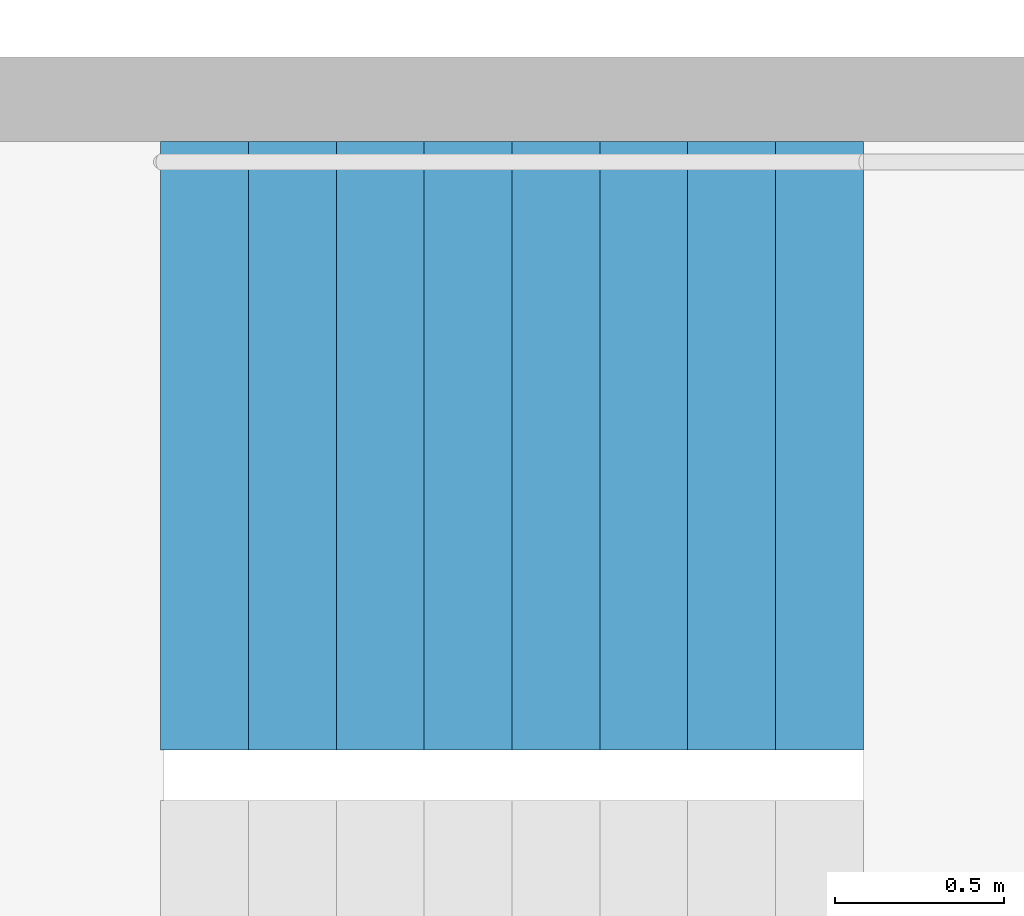
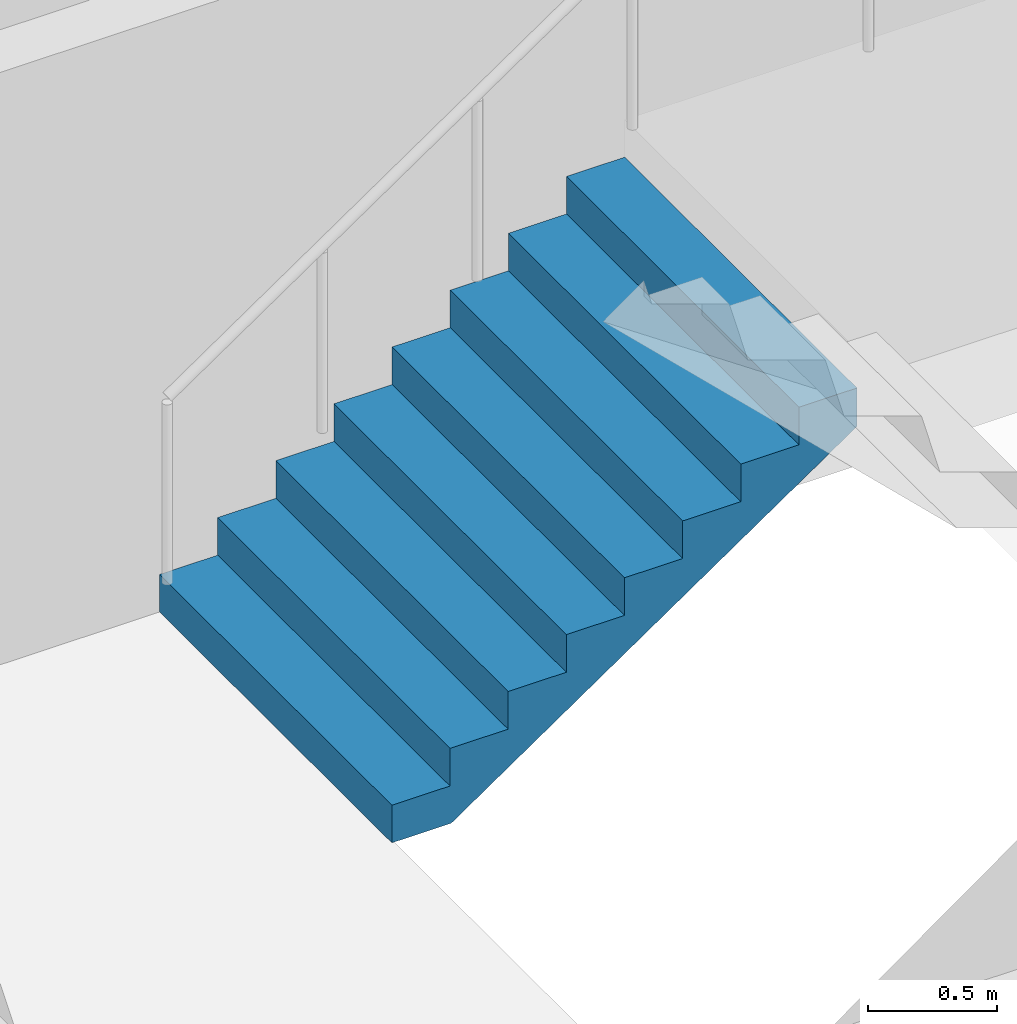
# One storey, part 26 of 29: 1 stair flight, 1 element without a shape of its own.
"""IFC4 building model written with IfcOpenShell, lengths in metres."""

import ifcopenshell
import ifcopenshell.guid

model = None  # the IFC model being written
_history = None  # IfcOwnerHistory: only IFC2X3 demands one
_inside = {}  # id of a spatial element -> (the spatial element, [elements in it])
_under = {}  # id of a project, library or spatial element -> (it, [spatial elements below it])
_declared = {}  # id of a project -> (the project, [libraries it declares])
_typed = {}  # id of a type object -> (the type object, [elements of that type])
_made_of = {}  # id of a material, layer set ... -> (it, [elements and type objects made of it])


def new_model(schema):
    """Start an empty IFC model of exactly this schema.

    Asked for "IFC4X3", IfcOpenShell would pick the latest addendum, in which some entities
    have other attributes; the version numbers below select the first issue.
    IFC2X3 requires an IfcOwnerHistory on every rooted entity: one is made here for all.
    """
    global model, _history
    if schema == "IFC4X3":
        model = ifcopenshell.file(schema_version=(4, 3, 0, 0))
    else:
        model = ifcopenshell.file(schema=schema)
    _inside.clear()
    _under.clear()
    _declared.clear()
    _typed.clear()
    _made_of.clear()
    _history = None
    if model.schema == "IFC2X3":
        org = make("IfcOrganization", Name="unknown")
        user = make(
            "IfcPersonAndOrganization",
            ThePerson=make("IfcPerson", FamilyName="unknown"),
            TheOrganization=org,
        )
        app = make(
            "IfcApplication",
            ApplicationDeveloper=org,
            Version="unknown",
            ApplicationFullName="unknown",
            ApplicationIdentifier="unknown",
        )
        _history = make(
            "IfcOwnerHistory",
            OwningUser=user,
            OwningApplication=app,
            ChangeAction="ADDED",
            CreationDate=0,
        )
    return model


def make(cls, **values):
    """One entity of the class cls with the attributes given. An attribute that is None is left unset."""
    return model.create_entity(
        cls, **{name: value for name, value in values.items() if value is not None}
    )


def rooted(cls, **values):
    """An entity with a GlobalId (a new one), such as an element, a storey or a relation."""
    return make(cls, GlobalId=ifcopenshell.guid.new(), OwnerHistory=_history, **values)


def si_unit(unit_type, name, prefix=None):
    """IfcSIUnit, for example si_unit("LENGTHUNIT", "METRE", prefix="MILLI")."""
    return make("IfcSIUnit", UnitType=unit_type, Prefix=prefix, Name=name)


def assignment(units):
    """IfcUnitAssignment: the units of a project."""
    return None if units is None else make("IfcUnitAssignment", Units=units)


def point(xyz):
    """IfcCartesianPoint."""
    return None if xyz is None else make("IfcCartesianPoint", Coordinates=xyz)


def direction(xyz):
    """IfcDirection."""
    return None if xyz is None else make("IfcDirection", DirectionRatios=xyz)


def frame(location, z_axis=None, x_axis=None):
    """IfcAxis2Placement3D, a coordinate frame: its origin and axes. An axis left out is left unset."""
    return make(
        "IfcAxis2Placement3D",
        Location=point(location),
        Axis=direction(z_axis),
        RefDirection=direction(x_axis),
    )


def origin():
    """The frame at (0, 0, 0) with its axes left unset."""
    return frame((0.0, 0.0, 0.0))


def place(relative_to, where):
    """IfcLocalPlacement: puts the frame where relative to a parent placement (None: the world)."""
    return make(
        "IfcLocalPlacement", PlacementRelTo=relative_to, RelativePlacement=where
    )


def context(
    kind, dimensions, precision=None, world=None, true_north=None, identifier=None
):
    """IfcGeometricRepresentationContext, for example the 3D "Model" context."""
    return make(
        "IfcGeometricRepresentationContext",
        ContextIdentifier=identifier,
        ContextType=kind,
        CoordinateSpaceDimension=dimensions,
        Precision=precision,
        WorldCoordinateSystem=world,
        TrueNorth=true_north,
    )


def subcontext(parent, identifier, kind, view, scale=None):
    """IfcGeometricRepresentationSubContext, for example "Body" below "Model"."""
    return make(
        "IfcGeometricRepresentationSubContext",
        ContextIdentifier=identifier,
        ContextType=kind,
        ParentContext=parent,
        TargetScale=scale,
        TargetView=view,
    )


def project(units=None, contexts=None):
    """IfcProject with its units and contexts."""
    return rooted(
        "IfcProject",
        Name="project",
        RepresentationContexts=contexts,
        UnitsInContext=assignment(units),
    )


def spatial(cls, under=None, at=None, **own):
    """A site, building, storey or space (cls), placed at a placement, below another one or the project."""
    s = rooted(cls, ObjectPlacement=at, **own)
    if under is not None:
        _under.setdefault(under.id(), (under, []))[1].append(s)
    return s


def point_list(points):
    """IfcCartesianPointList2D or 3D."""
    cls = (
        "IfcCartesianPointList2D" if len(points[0]) == 2 else "IfcCartesianPointList3D"
    )
    return make(cls, CoordList=points)


def triangles(points, corners, closed=None, point_numbers=None):
    """IfcTriangulatedFaceSet: each triangle names its three corners, points numbered from 1."""
    return make(
        "IfcTriangulatedFaceSet",
        Coordinates=point_list(points),
        Closed=closed,
        CoordIndex=corners,
        PnIndex=point_numbers,
    )


def shape(context_of_items, identifier, shape_type, items):
    """IfcShapeRepresentation: the items that make up one representation, for example the "Body"."""
    return make(
        "IfcShapeRepresentation",
        ContextOfItems=context_of_items,
        RepresentationIdentifier=identifier,
        RepresentationType=shape_type,
        Items=items,
    )


def material(Name=None, Category=None):
    """IfcMaterial."""
    return make("IfcMaterial", Name=Name, Category=Category)


def made_of(thing, what):
    """Note that an element or type object is made of a material, layer set ...; save() writes the relation."""
    if what is not None:
        _made_of.setdefault(what.id(), (what, []))[1].append(thing)
    return thing


def type_object(cls, material=None, **own):
    """A type object (cls), such as IfcWallType, which elements share."""
    return made_of(rooted(cls, **own), material)


def element(
    cls,
    number,
    at=None,
    inside=None,
    cuts=None,
    type_object=None,
    material=None,
    context=None,
    identifier="Body",
    shape_type=None,
    held_by="IfcProductDefinitionShape",
    body=None,
    shapes=None,
    **own,
):
    """One element of the class cls, such as IfcWall. Its Tag is "e" and its number.

    at: its placement. inside: the storey or other place that contains it. cuts: it is an
    opening in that element (IfcRelVoidsElement). A single representation is given by context,
    identifier, shape_type and body (its items); several are given by shapes. held_by: the class
    of the entity that holds the representations. save() writes the other relations.
    """
    e = rooted(cls, Tag="e%d" % number, ObjectPlacement=at, **own)
    if body is not None:
        shapes = [shape(context, identifier, shape_type, body)]
    if shapes is not None:
        e.Representation = make(held_by, Representations=shapes)
    if inside is not None:
        _inside.setdefault(inside.id(), (inside, []))[1].append(e)
    if cuts is not None:
        rooted(
            "IfcRelVoidsElement", RelatingBuildingElement=cuts, RelatedOpeningElement=e
        )
    if type_object is not None:
        _typed.setdefault(type_object.id(), (type_object, []))[1].append(e)
    return made_of(e, material)


def aggregate(whole, parts):
    """IfcRelAggregates: a whole, such as a stair, and the parts it consists of."""
    return rooted("IfcRelAggregates", RelatingObject=whole, RelatedObjects=parts)


def save(model, path):
    """Write the relations noted so far, then the file.

    IfcRelAggregates (storeys below a building ...), IfcRelContainedInSpatialStructure (elements
    in a storey), IfcRelDefinesByType, IfcRelAssociatesMaterial and IfcRelDeclares: one each for
    every whole, place, type object, material and project.
    """
    for whole, parts in _under.values():
        aggregate(whole, parts)
    for where, things in _inside.values():
        rooted(
            "IfcRelContainedInSpatialStructure",
            RelatedElements=things,
            RelatingStructure=where,
        )
    for kind, things in _typed.values():
        rooted("IfcRelDefinesByType", RelatedObjects=things, RelatingType=kind)
    for what, things in _made_of.values():
        rooted("IfcRelAssociatesMaterial", RelatedObjects=things, RelatingMaterial=what)
    for by, libraries in _declared.values():
        rooted("IfcRelDeclares", RelatingContext=by, RelatedDefinitions=libraries)
    model.write(path)


model = new_model("IFC4")

# Units and contexts
model_context = context("Model", 3, precision=1e-05, world=origin(), true_north=direction((0.0, 1.0)))
body_context = subcontext(model_context, "Body", "Model", "MODEL_VIEW")
ifc_project = project(units=[si_unit("LENGTHUNIT", "METRE"), si_unit("AREAUNIT", "SQUARE_METRE"), si_unit("VOLUMEUNIT", "CUBIC_METRE"), si_unit("PLANEANGLEUNIT", "RADIAN"), si_unit("MASSUNIT", "GRAM", prefix="KILO")], contexts=[model_context])

# Site, building, storey
site_placement = place(None, origin())
site = spatial("IfcSite", under=ifc_project, at=site_placement, CompositionType="ELEMENT")
building_placement = place(site_placement, origin())
building = spatial("IfcBuilding", under=site, at=building_placement, Name="Hakoniwa Tower and Hamabe Station Hall", CompositionType="ELEMENT")
storey_placement = place(building_placement, frame((0.0, 0.0, 88.199951171875)))
storey = spatial("IfcBuildingStorey", under=building, at=storey_placement, Name="L24", CompositionType="ELEMENT", Elevation=88.199951171875)

# Stair, stair flight
ifc_material_1 = material(Name="Concrete C40", Category="concrete")
stair_type = type_object("IfcStairType", Name="ESCAPE STAIR 1800", PredefinedType="HALF_TURN_STAIR", material=ifc_material_1)
stair_placement = place(storey_placement, origin())
stair = element("IfcStair", 1, at=stair_placement, inside=storey, type_object=stair_type, Name="Escape stair ST-4 L24", PredefinedType="HALF_TURN_STAIR")
ifc_material_2 = material(Name="Concrete C40", Category="concrete")
stair_flight_type = type_object("IfcStairFlightType", Name="STAIR FLIGHT 1800", PredefinedType="STRAIGHT", material=ifc_material_2)
stair_flight_placement = place(storey_placement, frame((23.39990234375, -4.64990234375, 0.0), z_axis=(0.0, 0.0, 1.0), x_axis=(1.0, 0.0, 0.0)))
stair_flight = element("IfcStairFlight", 2, at=stair_flight_placement, type_object=stair_flight_type, Name="ST-4 flight 1", NumberOfRisers=9, NumberOfTreads=8, PredefinedType="STRAIGHT", RiserHeight=0.177777778, TreadLength=0.26, context=body_context, shape_type="Tessellation", body=[
    triangles([(0.0, 0.89990234375, 0.0), (0.260009765625, 0.89990234375, 0.0), (0.265625, 0.89990234375, 0.0), (0.52001953125, 0.89990234375, 0.174072265625), (0.780029296875, 0.89990234375, 0.351806640625), (1.0400390625, 0.89990234375, 0.529541015625), (1.300048828125, 0.89990234375, 0.707275390625), (1.56005859375, 0.89990234375, 0.885009765625), (1.820068359375, 0.89990234375, 1.062744140625), (2.080078125, 0.89990234375, 1.24072265625), (2.080078125, 0.89990234375, 1.422119140625), (1.820068359375, 0.89990234375, 1.422119140625), (1.820068359375, 0.89990234375, 1.244384765625), (1.56005859375, 0.89990234375, 1.244384765625), (1.56005859375, 0.89990234375, 1.066650390625), (1.300048828125, 0.89990234375, 1.066650390625), (1.300048828125, 0.89990234375, 0.888916015625), (1.0400390625, 0.89990234375, 0.888916015625), (1.0400390625, 0.89990234375, 0.711181640625), (0.780029296875, 0.89990234375, 0.711181640625), (0.780029296875, 0.89990234375, 0.533447265625), (0.52001953125, 0.89990234375, 0.533447265625), (0.52001953125, 0.89990234375, 0.35546875), (0.265625, 0.89990234375, 0.35546875), (0.260009765625, 0.89990234375, 0.35546875), (0.260009765625, 0.89990234375, 0.177734375), (0.0, 0.89990234375, 0.177734375), (0.0, 0.06005859375, 0.0), (0.260009765625, 0.06005859375, 0.0), (0.265625, 0.06005859375, 0.0), (0.52001953125, 0.06005859375, 0.174072265625), (0.780029296875, 0.06005859375, 0.351806640625), (1.0400390625, 0.06005859375, 0.529541015625), (1.300048828125, 0.06005859375, 0.707275390625), (1.56005859375, 0.06005859375, 0.885009765625), (1.820068359375, 0.06005859375, 1.062744140625), (2.080078125, 0.06005859375, 1.24072265625), (2.080078125, 0.06005859375, 1.422119140625), (1.820068359375, 0.06005859375, 1.422119140625), (1.820068359375, 0.06005859375, 1.244384765625), (1.56005859375, 0.06005859375, 1.244384765625), (1.56005859375, 0.06005859375, 1.066650390625), (1.300048828125, 0.06005859375, 1.066650390625), (1.300048828125, 0.06005859375, 0.888916015625), (1.0400390625, 0.06005859375, 0.888916015625), (1.0400390625, 0.06005859375, 0.711181640625), (0.780029296875, 0.06005859375, 0.711181640625), (0.780029296875, 0.06005859375, 0.533447265625), (0.52001953125, 0.06005859375, 0.533447265625), (0.52001953125, 0.06005859375, 0.35546875), (0.265625, 0.06005859375, 0.35546875), (0.260009765625, 0.06005859375, 0.35546875), (0.260009765625, 0.06005859375, 0.177734375), (0.0, 0.06005859375, 0.177734375), (0.0, 0.04296875, 0.0), (0.260009765625, 0.04296875, 0.0), (0.265625, 0.04296875, 0.0), (0.52001953125, 0.04296875, 0.174072265625), (0.780029296875, 0.04296875, 0.351806640625), (1.0400390625, 0.04296875, 0.529541015625), (1.300048828125, 0.04296875, 0.707275390625), (1.56005859375, 0.04296875, 0.885009765625), (1.820068359375, 0.04296875, 1.062744140625), (2.080078125, 0.04296875, 1.24072265625), (2.080078125, 0.04296875, 1.422119140625), (1.820068359375, 0.04296875, 1.422119140625), (1.820068359375, 0.04296875, 1.244384765625), (1.56005859375, 0.04296875, 1.244384765625), (1.56005859375, 0.04296875, 1.066650390625), (1.300048828125, 0.04296875, 1.066650390625), (1.300048828125, 0.04296875, 0.888916015625), (1.0400390625, 0.04296875, 0.888916015625), (1.0400390625, 0.04296875, 0.711181640625), (0.780029296875, 0.04296875, 0.711181640625), (0.780029296875, 0.04296875, 0.533447265625), (0.52001953125, 0.04296875, 0.533447265625), (0.52001953125, 0.04296875, 0.35546875), (0.265625, 0.04296875, 0.35546875), (0.260009765625, 0.04296875, 0.35546875), (0.260009765625, 0.04296875, 0.177734375), (0.0, 0.04296875, 0.177734375), (0.0, 0.025634765625, 0.0), (0.260009765625, 0.025634765625, 0.0), (0.265625, 0.025634765625, 0.0), (0.52001953125, 0.025634765625, 0.174072265625), (0.780029296875, 0.025634765625, 0.351806640625), (1.0400390625, 0.025634765625, 0.529541015625), (1.300048828125, 0.025634765625, 0.707275390625), (1.56005859375, 0.025634765625, 0.885009765625), (1.820068359375, 0.025634765625, 1.062744140625), (2.080078125, 0.025634765625, 1.24072265625), (2.080078125, 0.025634765625, 1.422119140625), (1.820068359375, 0.025634765625, 1.422119140625), (1.820068359375, 0.025634765625, 1.244384765625), (1.56005859375, 0.025634765625, 1.244384765625), (1.56005859375, 0.025634765625, 1.066650390625), (1.300048828125, 0.025634765625, 1.066650390625), (1.300048828125, 0.025634765625, 0.888916015625), (1.0400390625, 0.025634765625, 0.888916015625), (1.0400390625, 0.025634765625, 0.711181640625), (0.780029296875, 0.025634765625, 0.711181640625), (0.780029296875, 0.025634765625, 0.533447265625), (0.52001953125, 0.025634765625, 0.533447265625), (0.52001953125, 0.025634765625, 0.35546875), (0.265625, 0.025634765625, 0.35546875), (0.260009765625, 0.025634765625, 0.35546875), (0.260009765625, 0.025634765625, 0.177734375), (0.0, 0.025634765625, 0.177734375), (0.0, 0.008544921875, 0.0), (0.260009765625, 0.008544921875, 0.0), (0.265625, 0.008544921875, 0.0), (0.52001953125, 0.008544921875, 0.174072265625), (0.780029296875, 0.008544921875, 0.351806640625), (1.0400390625, 0.008544921875, 0.529541015625), (1.300048828125, 0.008544921875, 0.707275390625), (1.56005859375, 0.008544921875, 0.885009765625), (1.820068359375, 0.008544921875, 1.062744140625), (2.080078125, 0.008544921875, 1.24072265625), (2.080078125, 0.008544921875, 1.422119140625), (1.820068359375, 0.008544921875, 1.422119140625), (1.820068359375, 0.008544921875, 1.244384765625), (1.56005859375, 0.008544921875, 1.244384765625), (1.56005859375, 0.008544921875, 1.066650390625), (1.300048828125, 0.008544921875, 1.066650390625), (1.300048828125, 0.008544921875, 0.888916015625), (1.0400390625, 0.008544921875, 0.888916015625), (1.0400390625, 0.008544921875, 0.711181640625), (0.780029296875, 0.008544921875, 0.711181640625), (0.780029296875, 0.008544921875, 0.533447265625), (0.52001953125, 0.008544921875, 0.533447265625), (0.52001953125, 0.008544921875, 0.35546875), (0.265625, 0.008544921875, 0.35546875), (0.260009765625, 0.008544921875, 0.35546875), (0.260009765625, 0.008544921875, 0.177734375), (0.0, 0.008544921875, 0.177734375), (0.0, -0.008544921875, 0.0), (0.260009765625, -0.008544921875, 0.0), (0.265625, -0.008544921875, 0.0), (0.52001953125, -0.008544921875, 0.174072265625), (0.780029296875, -0.008544921875, 0.351806640625), (1.0400390625, -0.008544921875, 0.529541015625), (1.300048828125, -0.008544921875, 0.707275390625), (1.56005859375, -0.008544921875, 0.885009765625), (1.820068359375, -0.008544921875, 1.062744140625), (2.080078125, -0.008544921875, 1.24072265625), (2.080078125, -0.008544921875, 1.422119140625), (1.820068359375, -0.008544921875, 1.422119140625), (1.820068359375, -0.008544921875, 1.244384765625), (1.56005859375, -0.008544921875, 1.244384765625), (1.56005859375, -0.008544921875, 1.066650390625), (1.300048828125, -0.008544921875, 1.066650390625), (1.300048828125, -0.008544921875, 0.888916015625), (1.0400390625, -0.008544921875, 0.888916015625), (1.0400390625, -0.008544921875, 0.711181640625), (0.780029296875, -0.008544921875, 0.711181640625), (0.780029296875, -0.008544921875, 0.533447265625), (0.52001953125, -0.008544921875, 0.533447265625), (0.52001953125, -0.008544921875, 0.35546875), (0.265625, -0.008544921875, 0.35546875), (0.260009765625, -0.008544921875, 0.35546875), (0.260009765625, -0.008544921875, 0.177734375), (0.0, -0.008544921875, 0.177734375), (0.0, -0.025634765625, 0.0), (0.260009765625, -0.025634765625, 0.0), (0.265625, -0.025634765625, 0.0), (0.52001953125, -0.025634765625, 0.174072265625), (0.780029296875, -0.025634765625, 0.351806640625), (1.0400390625, -0.025634765625, 0.529541015625), (1.300048828125, -0.025634765625, 0.707275390625), (1.56005859375, -0.025634765625, 0.885009765625), (1.820068359375, -0.025634765625, 1.062744140625), (2.080078125, -0.025634765625, 1.24072265625), (2.080078125, -0.025634765625, 1.422119140625), (1.820068359375, -0.025634765625, 1.422119140625), (1.820068359375, -0.025634765625, 1.244384765625), (1.56005859375, -0.025634765625, 1.244384765625), (1.56005859375, -0.025634765625, 1.066650390625), (1.300048828125, -0.025634765625, 1.066650390625), (1.300048828125, -0.025634765625, 0.888916015625), (1.0400390625, -0.025634765625, 0.888916015625), (1.0400390625, -0.025634765625, 0.711181640625), (0.780029296875, -0.025634765625, 0.711181640625), (0.780029296875, -0.025634765625, 0.533447265625), (0.52001953125, -0.025634765625, 0.533447265625), (0.52001953125, -0.025634765625, 0.35546875), (0.265625, -0.025634765625, 0.35546875), (0.260009765625, -0.025634765625, 0.35546875), (0.260009765625, -0.025634765625, 0.177734375), (0.0, -0.025634765625, 0.177734375), (0.0, -0.04296875, 0.0), (0.260009765625, -0.04296875, 0.0), (0.265625, -0.04296875, 0.0), (0.52001953125, -0.04296875, 0.174072265625), (0.780029296875, -0.04296875, 0.351806640625), (1.0400390625, -0.04296875, 0.529541015625), (1.300048828125, -0.04296875, 0.707275390625), (1.56005859375, -0.04296875, 0.885009765625), (1.820068359375, -0.04296875, 1.062744140625), (2.080078125, -0.04296875, 1.24072265625), (2.080078125, -0.04296875, 1.422119140625), (1.820068359375, -0.04296875, 1.422119140625), (1.820068359375, -0.04296875, 1.244384765625), (1.56005859375, -0.04296875, 1.244384765625), (1.56005859375, -0.04296875, 1.066650390625), (1.300048828125, -0.04296875, 1.066650390625), (1.300048828125, -0.04296875, 0.888916015625), (1.0400390625, -0.04296875, 0.888916015625), (1.0400390625, -0.04296875, 0.711181640625), (0.780029296875, -0.04296875, 0.711181640625), (0.780029296875, -0.04296875, 0.533447265625), (0.52001953125, -0.04296875, 0.533447265625), (0.52001953125, -0.04296875, 0.35546875), (0.265625, -0.04296875, 0.35546875), (0.260009765625, -0.04296875, 0.35546875), (0.260009765625, -0.04296875, 0.177734375), (0.0, -0.04296875, 0.177734375), (0.0, -0.06005859375, 0.0), (0.260009765625, -0.06005859375, 0.0), (0.265625, -0.06005859375, 0.0), (0.52001953125, -0.06005859375, 0.174072265625), (0.780029296875, -0.06005859375, 0.351806640625), (1.0400390625, -0.06005859375, 0.529541015625), (1.300048828125, -0.06005859375, 0.707275390625), (1.56005859375, -0.06005859375, 0.885009765625), (1.820068359375, -0.06005859375, 1.062744140625), (2.080078125, -0.06005859375, 1.24072265625), (2.080078125, -0.06005859375, 1.422119140625), (1.820068359375, -0.06005859375, 1.422119140625), (1.820068359375, -0.06005859375, 1.244384765625), (1.56005859375, -0.06005859375, 1.244384765625), (1.56005859375, -0.06005859375, 1.066650390625), (1.300048828125, -0.06005859375, 1.066650390625), (1.300048828125, -0.06005859375, 0.888916015625), (1.0400390625, -0.06005859375, 0.888916015625), (1.0400390625, -0.06005859375, 0.711181640625), (0.780029296875, -0.06005859375, 0.711181640625), (0.780029296875, -0.06005859375, 0.533447265625), (0.52001953125, -0.06005859375, 0.533447265625), (0.52001953125, -0.06005859375, 0.35546875), (0.265625, -0.06005859375, 0.35546875), (0.260009765625, -0.06005859375, 0.35546875), (0.260009765625, -0.06005859375, 0.177734375), (0.0, -0.06005859375, 0.177734375), (0.0, -0.89990234375, 0.0), (0.260009765625, -0.89990234375, 0.0), (0.265625, -0.89990234375, 0.0), (0.52001953125, -0.89990234375, 0.174072265625), (0.780029296875, -0.89990234375, 0.351806640625), (1.0400390625, -0.89990234375, 0.529541015625), (1.300048828125, -0.89990234375, 0.707275390625), (1.56005859375, -0.89990234375, 0.885009765625), (1.820068359375, -0.89990234375, 1.062744140625), (2.080078125, -0.89990234375, 1.24072265625), (2.080078125, -0.89990234375, 1.422119140625), (1.820068359375, -0.89990234375, 1.422119140625), (1.820068359375, -0.89990234375, 1.244384765625), (1.56005859375, -0.89990234375, 1.244384765625), (1.56005859375, -0.89990234375, 1.066650390625), (1.300048828125, -0.89990234375, 1.066650390625), (1.300048828125, -0.89990234375, 0.888916015625), (1.0400390625, -0.89990234375, 0.888916015625), (1.0400390625, -0.89990234375, 0.711181640625), (0.780029296875, -0.89990234375, 0.711181640625), (0.780029296875, -0.89990234375, 0.533447265625), (0.52001953125, -0.89990234375, 0.533447265625), (0.52001953125, -0.89990234375, 0.35546875), (0.265625, -0.89990234375, 0.35546875), (0.260009765625, -0.89990234375, 0.35546875), (0.260009765625, -0.89990234375, 0.177734375), (0.0, -0.89990234375, 0.177734375)], [[2, 27, 26], [245, 269, 270], [2, 1, 27], [245, 270, 244], [3, 25, 24], [246, 267, 268], [3, 26, 25], [246, 268, 269], [3, 2, 26], [246, 269, 245], [4, 24, 23], [247, 266, 267], [4, 3, 24], [247, 267, 246], [5, 22, 21], [248, 264, 265], [5, 23, 22], [248, 265, 266], [5, 4, 23], [248, 266, 247], [6, 20, 19], [249, 262, 263], [6, 21, 20], [249, 263, 264], [6, 5, 21], [249, 264, 248], [7, 18, 17], [250, 260, 261], [7, 19, 18], [250, 261, 262], [7, 6, 19], [250, 262, 249], [8, 16, 15], [251, 258, 259], [8, 17, 16], [251, 259, 260], [8, 7, 17], [251, 260, 250], [9, 14, 13], [252, 256, 257], [9, 15, 14], [252, 257, 258], [9, 8, 15], [252, 258, 251], [10, 12, 11], [253, 254, 255], [10, 13, 12], [253, 255, 256], [10, 9, 13], [253, 256, 252], [1, 2, 29], [1, 29, 28], [28, 29, 56], [28, 56, 55], [55, 56, 83], [55, 83, 82], [82, 83, 110], [82, 110, 109], [109, 110, 137], [109, 137, 136], [136, 137, 164], [136, 164, 163], [163, 164, 191], [163, 191, 190], [190, 191, 218], [190, 218, 217], [217, 218, 245], [217, 245, 244], [2, 3, 30], [2, 30, 29], [29, 30, 57], [29, 57, 56], [56, 57, 84], [56, 84, 83], [83, 84, 111], [83, 111, 110], [110, 111, 138], [110, 138, 137], [137, 138, 165], [137, 165, 164], [164, 165, 192], [164, 192, 191], [191, 192, 219], [191, 219, 218], [218, 219, 246], [218, 246, 245], [3, 4, 31], [3, 31, 30], [30, 31, 58], [30, 58, 57], [57, 58, 85], [57, 85, 84], [84, 85, 112], [84, 112, 111], [111, 112, 139], [111, 139, 138], [138, 139, 166], [138, 166, 165], [165, 166, 193], [165, 193, 192], [192, 193, 220], [192, 220, 219], [219, 220, 247], [219, 247, 246], [4, 5, 32], [4, 32, 31], [31, 32, 59], [31, 59, 58], [58, 59, 86], [58, 86, 85], [85, 86, 113], [85, 113, 112], [112, 113, 140], [112, 140, 139], [139, 140, 167], [139, 167, 166], [166, 167, 194], [166, 194, 193], [193, 194, 221], [193, 221, 220], [220, 221, 248], [220, 248, 247], [5, 6, 33], [5, 33, 32], [32, 33, 60], [32, 60, 59], [59, 60, 87], [59, 87, 86], [86, 87, 114], [86, 114, 113], [113, 114, 141], [113, 141, 140], [140, 141, 168], [140, 168, 167], [167, 168, 195], [167, 195, 194], [194, 195, 222], [194, 222, 221], [221, 222, 249], [221, 249, 248], [6, 7, 34], [6, 34, 33], [33, 34, 61], [33, 61, 60], [60, 61, 88], [60, 88, 87], [87, 88, 115], [87, 115, 114], [114, 115, 142], [114, 142, 141], [141, 142, 169], [141, 169, 168], [168, 169, 196], [168, 196, 195], [195, 196, 223], [195, 223, 222], [222, 223, 250], [222, 250, 249], [7, 8, 35], [7, 35, 34], [34, 35, 62], [34, 62, 61], [61, 62, 89], [61, 89, 88], [88, 89, 116], [88, 116, 115], [115, 116, 143], [115, 143, 142], [142, 143, 170], [142, 170, 169], [169, 170, 197], [169, 197, 196], [196, 197, 224], [196, 224, 223], [223, 224, 251], [223, 251, 250], [8, 9, 36], [8, 36, 35], [35, 36, 63], [35, 63, 62], [62, 63, 90], [62, 90, 89], [89, 90, 117], [89, 117, 116], [116, 117, 144], [116, 144, 143], [143, 144, 171], [143, 171, 170], [170, 171, 198], [170, 198, 197], [197, 198, 225], [197, 225, 224], [224, 225, 252], [224, 252, 251], [9, 10, 37], [9, 37, 36], [36, 37, 64], [36, 64, 63], [63, 64, 91], [63, 91, 90], [90, 91, 118], [90, 118, 117], [117, 118, 145], [117, 145, 144], [144, 145, 172], [144, 172, 171], [171, 172, 199], [171, 199, 198], [198, 199, 226], [198, 226, 225], [225, 226, 253], [225, 253, 252], [10, 11, 38], [10, 38, 37], [37, 38, 65], [37, 65, 64], [64, 65, 92], [64, 92, 91], [91, 92, 119], [91, 119, 118], [118, 119, 146], [118, 146, 145], [145, 146, 173], [145, 173, 172], [172, 173, 200], [172, 200, 199], [199, 200, 227], [199, 227, 226], [226, 227, 254], [226, 254, 253], [11, 12, 39], [11, 39, 38], [38, 39, 66], [38, 66, 65], [65, 66, 93], [65, 93, 92], [92, 93, 120], [92, 120, 119], [119, 120, 147], [119, 147, 146], [146, 147, 174], [146, 174, 173], [173, 174, 201], [173, 201, 200], [200, 201, 228], [200, 228, 227], [227, 228, 255], [227, 255, 254], [12, 13, 40], [12, 40, 39], [39, 40, 67], [39, 67, 66], [66, 67, 94], [66, 94, 93], [93, 94, 121], [93, 121, 120], [120, 121, 148], [120, 148, 147], [147, 148, 175], [147, 175, 174], [174, 175, 202], [174, 202, 201], [201, 202, 229], [201, 229, 228], [228, 229, 256], [228, 256, 255], [13, 14, 41], [13, 41, 40], [40, 41, 68], [40, 68, 67], [67, 68, 95], [67, 95, 94], [94, 95, 122], [94, 122, 121], [121, 122, 149], [121, 149, 148], [148, 149, 176], [148, 176, 175], [175, 176, 203], [175, 203, 202], [202, 203, 230], [202, 230, 229], [229, 230, 257], [229, 257, 256], [14, 15, 42], [14, 42, 41], [41, 42, 69], [41, 69, 68], [68, 69, 96], [68, 96, 95], [95, 96, 123], [95, 123, 122], [122, 123, 150], [122, 150, 149], [149, 150, 177], [149, 177, 176], [176, 177, 204], [176, 204, 203], [203, 204, 231], [203, 231, 230], [230, 231, 258], [230, 258, 257], [15, 16, 43], [15, 43, 42], [42, 43, 70], [42, 70, 69], [69, 70, 97], [69, 97, 96], [96, 97, 124], [96, 124, 123], [123, 124, 151], [123, 151, 150], [150, 151, 178], [150, 178, 177], [177, 178, 205], [177, 205, 204], [204, 205, 232], [204, 232, 231], [231, 232, 259], [231, 259, 258], [16, 17, 44], [16, 44, 43], [43, 44, 71], [43, 71, 70], [70, 71, 98], [70, 98, 97], [97, 98, 125], [97, 125, 124], [124, 125, 152], [124, 152, 151], [151, 152, 179], [151, 179, 178], [178, 179, 206], [178, 206, 205], [205, 206, 233], [205, 233, 232], [232, 233, 260], [232, 260, 259], [17, 18, 45], [17, 45, 44], [44, 45, 72], [44, 72, 71], [71, 72, 99], [71, 99, 98], [98, 99, 126], [98, 126, 125], [125, 126, 153], [125, 153, 152], [152, 153, 180], [152, 180, 179], [179, 180, 207], [179, 207, 206], [206, 207, 234], [206, 234, 233], [233, 234, 261], [233, 261, 260], [18, 19, 46], [18, 46, 45], [45, 46, 73], [45, 73, 72], [72, 73, 100], [72, 100, 99], [99, 100, 127], [99, 127, 126], [126, 127, 154], [126, 154, 153], [153, 154, 181], [153, 181, 180], [180, 181, 208], [180, 208, 207], [207, 208, 235], [207, 235, 234], [234, 235, 262], [234, 262, 261], [19, 20, 47], [19, 47, 46], [46, 47, 74], [46, 74, 73], [73, 74, 101], [73, 101, 100], [100, 101, 128], [100, 128, 127], [127, 128, 155], [127, 155, 154], [154, 155, 182], [154, 182, 181], [181, 182, 209], [181, 209, 208], [208, 209, 236], [208, 236, 235], [235, 236, 263], [235, 263, 262], [20, 21, 48], [20, 48, 47], [47, 48, 75], [47, 75, 74], [74, 75, 102], [74, 102, 101], [101, 102, 129], [101, 129, 128], [128, 129, 156], [128, 156, 155], [155, 156, 183], [155, 183, 182], [182, 183, 210], [182, 210, 209], [209, 210, 237], [209, 237, 236], [236, 237, 264], [236, 264, 263], [21, 22, 49], [21, 49, 48], [48, 49, 76], [48, 76, 75], [75, 76, 103], [75, 103, 102], [102, 103, 130], [102, 130, 129], [129, 130, 157], [129, 157, 156], [156, 157, 184], [156, 184, 183], [183, 184, 211], [183, 211, 210], [210, 211, 238], [210, 238, 237], [237, 238, 265], [237, 265, 264], [22, 23, 50], [22, 50, 49], [49, 50, 77], [49, 77, 76], [76, 77, 104], [76, 104, 103], [103, 104, 131], [103, 131, 130], [130, 131, 158], [130, 158, 157], [157, 158, 185], [157, 185, 184], [184, 185, 212], [184, 212, 211], [211, 212, 239], [211, 239, 238], [238, 239, 266], [238, 266, 265], [23, 24, 51], [23, 51, 50], [50, 51, 78], [50, 78, 77], [77, 78, 105], [77, 105, 104], [104, 105, 132], [104, 132, 131], [131, 132, 159], [131, 159, 158], [158, 159, 186], [158, 186, 185], [185, 186, 213], [185, 213, 212], [212, 213, 240], [212, 240, 239], [239, 240, 267], [239, 267, 266], [24, 25, 52], [24, 52, 51], [51, 52, 79], [51, 79, 78], [78, 79, 106], [78, 106, 105], [105, 106, 133], [105, 133, 132], [132, 133, 160], [132, 160, 159], [159, 160, 187], [159, 187, 186], [186, 187, 214], [186, 214, 213], [213, 214, 241], [213, 241, 240], [240, 241, 268], [240, 268, 267], [25, 26, 53], [25, 53, 52], [52, 53, 80], [52, 80, 79], [79, 80, 107], [79, 107, 106], [106, 107, 134], [106, 134, 133], [133, 134, 161], [133, 161, 160], [160, 161, 188], [160, 188, 187], [187, 188, 215], [187, 215, 214], [214, 215, 242], [214, 242, 241], [241, 242, 269], [241, 269, 268], [26, 27, 54], [26, 54, 53], [53, 54, 81], [53, 81, 80], [80, 81, 108], [80, 108, 107], [107, 108, 135], [107, 135, 134], [134, 135, 162], [134, 162, 161], [161, 162, 189], [161, 189, 188], [188, 189, 216], [188, 216, 215], [215, 216, 243], [215, 243, 242], [242, 243, 270], [242, 270, 269], [27, 1, 28], [27, 28, 54], [54, 28, 55], [54, 55, 81], [81, 55, 82], [81, 82, 108], [108, 82, 109], [108, 109, 135], [135, 109, 136], [135, 136, 162], [162, 136, 163], [162, 163, 189], [189, 163, 190], [189, 190, 216], [216, 190, 217], [216, 217, 243], [243, 217, 244], [243, 244, 270]], closed=True),
])
aggregate(stair, [stair_flight])

save(model, "model.ifc")
